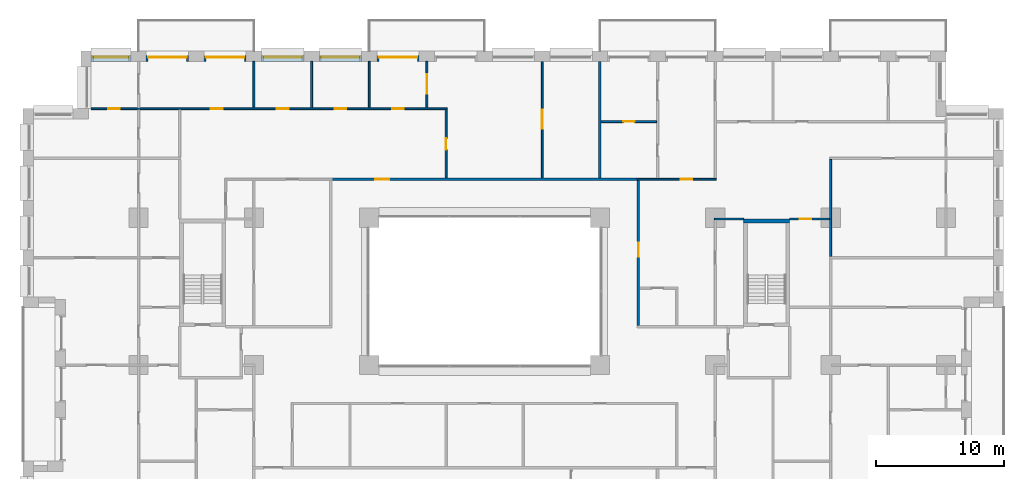
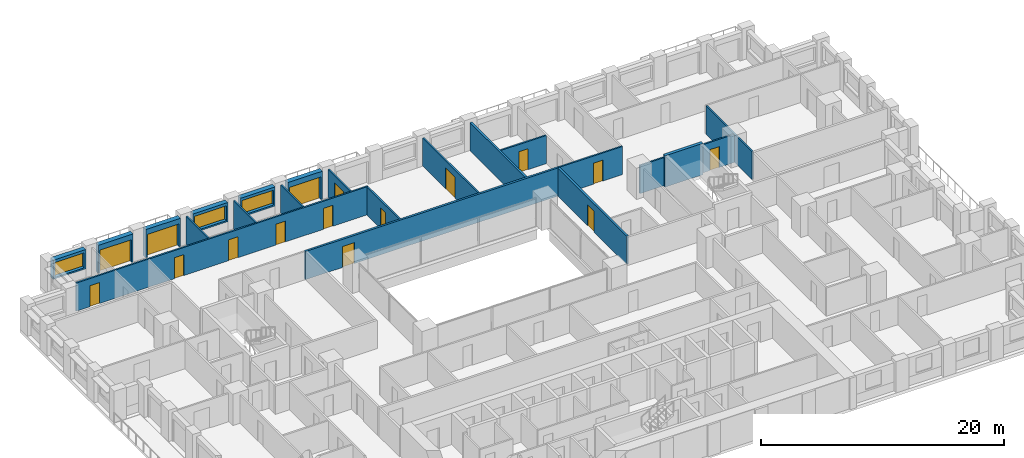
# One storey, part 15 of 20: 22 walls, 16 doors, 3 windows, 19 openings.
"""IFC4 building model written with IfcOpenShell, lengths in metres."""

from ifc_helpers import new_model, si_unit, direction, frame, frame_2d, origin, place, context, subcontext, project, spatial, rectangle, extrude, material, layer, layer_set, type_object, element, fill, save


model = new_model("IFC4")

# Units and contexts
model_context = context("Model", 3, precision=1e-05, world=origin(), true_north=direction((0.0, 1.0)))
body_context = subcontext(model_context, "Body", "Model", "MODEL_VIEW")
ifc_project = project(units=[si_unit("LENGTHUNIT", "METRE"), si_unit("AREAUNIT", "SQUARE_METRE"), si_unit("VOLUMEUNIT", "CUBIC_METRE"), si_unit("PLANEANGLEUNIT", "RADIAN"), si_unit("MASSUNIT", "GRAM", prefix="KILO")], contexts=[model_context])

# Site, building, storey
site_placement = place(None, origin())
site = spatial("IfcSite", under=ifc_project, at=site_placement, CompositionType="ELEMENT")
building_placement = place(site_placement, origin())
building = spatial("IfcBuilding", under=site, at=building_placement, Name="Brigalow Station Residences", CompositionType="ELEMENT")
storey_placement = place(building_placement, frame((0.0, 0.0, 54.14990234375)))
storey = spatial("IfcBuildingStorey", under=building, at=storey_placement, Name="L15", CompositionType="ELEMENT", Elevation=54.14990234375)

# Wall, opening, door
ifc_material_1 = material(Name="Clay brick masonry", Category="masonry")
ifc_layer_1 = layer(ifc_material_1, 0.449951171875)
ifc_layer_set_1 = layer_set([ifc_layer_1], Name="BRICK INFILL WALL 450")
wall_type_1 = type_object("IfcWallType", Name="BRICK INFILL WALL 450", PredefinedType="SOLIDWALL", material=ifc_layer_set_1)
wall_1_placement = place(storey_placement, frame((30.89990234375, 47.925048828125, 0.0), z_axis=(0.0, 0.0, 1.0), x_axis=(-1.0, 0.0, 0.0)))
wall_1 = element("IfcWall", 1, at=wall_1_placement, inside=storey, type_object=wall_type_1, Name="L15/ewall/W-L15-34", PredefinedType="SOLIDWALL", context=body_context, shape_type="SweptSolid", body=[
    extrude(rectangle(XDim=3.2998046875, YDim=0.449951171875, at=frame_2d((1.64990234375, 0.0))), origin(), (0.0, 0.0, 1.0), 2.830078125),
])
opening_1_placement = place(wall_1_placement, frame((0.14990234375, 0.0, 0.0)))
opening_1 = element("IfcOpeningElement", 2, at=opening_1_placement, cuts=wall_1, Name="Opening D-B3000", PredefinedType="OPENING", context=body_context, shape_type="SweptSolid", body=[
    extrude(rectangle(XDim=3.0, YDim=2.300048828125, at=frame_2d((1.5, 1.14990234375))), frame((0.0, 0.23486328125, 0.0), z_axis=(0.0, -1.0, 0.0), x_axis=(1.0, 0.0, 0.0)), (0.0, 0.0, 1.0), 0.469970703125),
])
ifc_material_2 = material(Name="Anodised aluminium frame with double glazing", Category="aluminium")
door_type_1 = type_object("IfcDoorType", Name="BALCONY SLIDING DOOR 3000x2300", OperationType="SLIDING_TO_LEFT", PredefinedType="DOOR", material=ifc_material_2)
door_1_placement = place(opening_1_placement, origin())
door_1 = element("IfcDoor", 3, at=door_1_placement, inside=storey, type_object=door_type_1, Name="L15/balcony-door/W-L15-34", OperationType="SLIDING_TO_LEFT", OverallHeight=2.300048828125, OverallWidth=3.0, PredefinedType="DOOR", context=body_context, shape_type="SweptSolid", body=[
    extrude(rectangle(XDim=3.0, YDim=2.300048828125, at=frame_2d((1.5, 1.14990234375))), frame((0.0, -0.06982421875, 0.0), z_axis=(0.0, -1.0, 0.0), x_axis=(1.0, 0.0, 0.0)), (0.0, 0.0, 1.0), 0.050048828125),
])
fill(opening_1, door_1)

# Wall, opening, window
wall_2_placement = place(storey_placement, frame((26.39990234375, 47.925048828125, 0.900146484375), z_axis=(0.0, 0.0, 1.0), x_axis=(-1.0, 0.0, 0.0)))
wall_2 = element("IfcWall", 4, at=wall_2_placement, inside=storey, type_object=wall_type_1, Name="L15/ewall/W-L15-35", PredefinedType="SOLIDWALL", context=body_context, shape_type="SweptSolid", body=[
    extrude(rectangle(XDim=3.2998046875, YDim=0.449951171875, at=frame_2d((1.64990234375, 0.0))), origin(), (0.0, 0.0, 1.0), 1.929931640625),
])
opening_2_placement = place(wall_2_placement, frame((0.14990234375, 0.0, 0.14990234375)))
opening_2 = element("IfcOpeningElement", 5, at=opening_2_placement, cuts=wall_2, Name="Opening WT-2", PredefinedType="OPENING", context=body_context, shape_type="SweptSolid", body=[
    extrude(rectangle(XDim=3.0, YDim=1.5, at=frame_2d((1.5, 0.75))), frame((0.0, 0.23486328125, 0.0), z_axis=(0.0, -1.0, 0.0), x_axis=(1.0, 0.0, 0.0)), (0.0, 0.0, 1.0), 0.469970703125),
])
ifc_material_3 = material(Name="Anodised aluminium frame with double glazing", Category="aluminium")
window_type_1 = type_object("IfcWindowType", Name="WINDOW 3000x1500", PartitioningType="SINGLE_PANEL", PredefinedType="WINDOW", material=ifc_material_3)
window_1_placement = place(opening_2_placement, origin())
window_1 = element("IfcWindow", 6, at=window_1_placement, inside=storey, type_object=window_type_1, Name="L15/window/W-L15-35", OverallHeight=1.5, OverallWidth=3.0, PartitioningType="SINGLE_PANEL", PredefinedType="WINDOW", context=body_context, shape_type="SweptSolid", body=[
    extrude(rectangle(XDim=3.0, YDim=1.5, at=frame_2d((1.5, 0.75))), frame((0.0, -0.06494140625, 0.0), z_axis=(0.0, -1.0, 0.0), x_axis=(1.0, 0.0, 0.0)), (0.0, 0.0, 1.0), 0.06005859375),
])
fill(opening_2, window_1)

wall_3_placement = place(storey_placement, frame((21.89990234375, 47.925048828125, 0.900146484375), z_axis=(0.0, 0.0, 1.0), x_axis=(-1.0, 0.0, 0.0)))
wall_3 = element("IfcWall", 7, at=wall_3_placement, inside=storey, type_object=wall_type_1, Name="L15/ewall/W-L15-36", PredefinedType="SOLIDWALL", context=body_context, shape_type="SweptSolid", body=[
    extrude(rectangle(XDim=3.2998046875, YDim=0.449951171875, at=frame_2d((1.64990234375, 0.0))), origin(), (0.0, 0.0, 1.0), 1.929931640625),
])
opening_3_placement = place(wall_3_placement, frame((0.14990234375, 0.0, 0.14990234375)))
opening_3 = element("IfcOpeningElement", 8, at=opening_3_placement, cuts=wall_3, Name="Opening WT-2", PredefinedType="OPENING", context=body_context, shape_type="SweptSolid", body=[
    extrude(rectangle(XDim=3.0, YDim=1.5, at=frame_2d((1.5, 0.75))), frame((0.0, 0.23486328125, 0.0), z_axis=(0.0, -1.0, 0.0), x_axis=(1.0, 0.0, 0.0)), (0.0, 0.0, 1.0), 0.469970703125),
])
window_2_placement = place(opening_3_placement, origin())
window_2 = element("IfcWindow", 9, at=window_2_placement, inside=storey, type_object=window_type_1, Name="L15/window/W-L15-36", OverallHeight=1.5, OverallWidth=3.0, PartitioningType="SINGLE_PANEL", PredefinedType="WINDOW", context=body_context, shape_type="SweptSolid", body=[
    extrude(rectangle(XDim=3.0, YDim=1.5, at=frame_2d((1.5, 0.75))), frame((0.0, -0.06494140625, 0.0), z_axis=(0.0, -1.0, 0.0), x_axis=(1.0, 0.0, 0.0)), (0.0, 0.0, 1.0), 0.06005859375),
])
fill(opening_3, window_2)

# Wall, opening, door
wall_4_placement = place(storey_placement, frame((17.39990234375, 47.925048828125, 0.0), z_axis=(0.0, 0.0, 1.0), x_axis=(-1.0, 0.0, 0.0)))
wall_4 = element("IfcWall", 10, at=wall_4_placement, inside=storey, type_object=wall_type_1, Name="L15/ewall/W-L15-37", PredefinedType="SOLIDWALL", context=body_context, shape_type="SweptSolid", body=[
    extrude(rectangle(XDim=3.2998046875, YDim=0.449951171875, at=frame_2d((1.64990234375, 0.0))), origin(), (0.0, 0.0, 1.0), 2.830078125),
])
opening_4_placement = place(wall_4_placement, frame((0.14990234375, 0.0, 0.0)))
opening_4 = element("IfcOpeningElement", 11, at=opening_4_placement, cuts=wall_4, Name="Opening D-B3000", PredefinedType="OPENING", context=body_context, shape_type="SweptSolid", body=[
    extrude(rectangle(XDim=3.0, YDim=2.300048828125, at=frame_2d((1.5, 1.14990234375))), frame((0.0, 0.23486328125, 0.0), z_axis=(0.0, -1.0, 0.0), x_axis=(1.0, 0.0, 0.0)), (0.0, 0.0, 1.0), 0.469970703125),
])
door_2_placement = place(opening_4_placement, origin())
door_2 = element("IfcDoor", 12, at=door_2_placement, inside=storey, type_object=door_type_1, Name="L15/balcony-door/W-L15-37", OperationType="SLIDING_TO_LEFT", OverallHeight=2.300048828125, OverallWidth=3.0, PredefinedType="DOOR", context=body_context, shape_type="SweptSolid", body=[
    extrude(rectangle(XDim=3.0, YDim=2.300048828125, at=frame_2d((1.5, 1.14990234375))), frame((0.0, -0.06982421875, 0.0), z_axis=(0.0, -1.0, 0.0), x_axis=(1.0, 0.0, 0.0)), (0.0, 0.0, 1.0), 0.050048828125),
])
fill(opening_4, door_2)

wall_5_placement = place(storey_placement, frame((12.89990234375, 47.925048828125, 0.0), z_axis=(0.0, 0.0, 1.0), x_axis=(-1.0, 0.0, 0.0)))
wall_5 = element("IfcWall", 13, at=wall_5_placement, inside=storey, type_object=wall_type_1, Name="L15/ewall/W-L15-38", PredefinedType="SOLIDWALL", context=body_context, shape_type="SweptSolid", body=[
    extrude(rectangle(XDim=3.2998046875, YDim=0.449951171875, at=frame_2d((1.64990234375, 0.0))), origin(), (0.0, 0.0, 1.0), 2.830078125),
])
opening_5_placement = place(wall_5_placement, frame((0.14990234375, 0.0, 0.0)))
opening_5 = element("IfcOpeningElement", 14, at=opening_5_placement, cuts=wall_5, Name="Opening D-B3000", PredefinedType="OPENING", context=body_context, shape_type="SweptSolid", body=[
    extrude(rectangle(XDim=3.0, YDim=2.300048828125, at=frame_2d((1.5, 1.14990234375))), frame((0.0, 0.23486328125, 0.0), z_axis=(0.0, -1.0, 0.0), x_axis=(1.0, 0.0, 0.0)), (0.0, 0.0, 1.0), 0.469970703125),
])
door_3_placement = place(opening_5_placement, origin())
door_3 = element("IfcDoor", 15, at=door_3_placement, inside=storey, type_object=door_type_1, Name="L15/balcony-door/W-L15-38", OperationType="SLIDING_TO_LEFT", OverallHeight=2.300048828125, OverallWidth=3.0, PredefinedType="DOOR", context=body_context, shape_type="SweptSolid", body=[
    extrude(rectangle(XDim=3.0, YDim=2.300048828125, at=frame_2d((1.5, 1.14990234375))), frame((0.0, -0.06982421875, 0.0), z_axis=(0.0, -1.0, 0.0), x_axis=(1.0, 0.0, 0.0)), (0.0, 0.0, 1.0), 0.050048828125),
])
fill(opening_5, door_3)

# Wall, opening, window
wall_6_placement = place(storey_placement, frame((8.39990234375, 47.925048828125, 0.900146484375), z_axis=(0.0, 0.0, 1.0), x_axis=(-1.0, 0.0, 0.0)))
wall_6 = element("IfcWall", 16, at=wall_6_placement, inside=storey, type_object=wall_type_1, Name="L15/ewall/W-L15-39", PredefinedType="SOLIDWALL", context=body_context, shape_type="SweptSolid", body=[
    extrude(rectangle(XDim=3.099853515625, YDim=0.449951171875, at=frame_2d((1.5498046875, 0.0))), origin(), (0.0, 0.0, 1.0), 1.929931640625),
])
opening_6_placement = place(wall_6_placement, frame((0.175048828125, 0.0, 0.14990234375)))
opening_6 = element("IfcOpeningElement", 17, at=opening_6_placement, cuts=wall_6, Name="Opening WT-3", PredefinedType="OPENING", context=body_context, shape_type="SweptSolid", body=[
    extrude(rectangle(XDim=2.75, YDim=1.5, at=frame_2d((1.375, 0.75))), frame((0.0, 0.23486328125, 0.0), z_axis=(0.0, -1.0, 0.0), x_axis=(1.0, 0.0, 0.0)), (0.0, 0.0, 1.0), 0.469970703125),
])
ifc_material_4 = material(Name="Anodised aluminium frame with double glazing", Category="aluminium")
window_type_2 = type_object("IfcWindowType", Name="WINDOW 2750x1500", PartitioningType="SINGLE_PANEL", PredefinedType="WINDOW", material=ifc_material_4)
window_3_placement = place(opening_6_placement, origin())
window_3 = element("IfcWindow", 18, at=window_3_placement, inside=storey, type_object=window_type_2, Name="L15/window/W-L15-39", OverallHeight=1.5, OverallWidth=2.75, PartitioningType="SINGLE_PANEL", PredefinedType="WINDOW", context=body_context, shape_type="SweptSolid", body=[
    extrude(rectangle(XDim=2.75, YDim=1.5, at=frame_2d((1.375, 0.75))), frame((0.0, -0.06494140625, 0.0), z_axis=(0.0, -1.0, 0.0), x_axis=(1.0, 0.0, 0.0)), (0.0, 0.0, 1.0), 0.06005859375),
])
fill(opening_6, window_3)

# Wall
ifc_material_5 = material(Name="Concrete C80", Category="concrete")
ifc_layer_2 = layer(ifc_material_5, 0.300048828125)
ifc_layer_set_2 = layer_set([ifc_layer_2], Name="CORE SHEAR WALL 300 C80")
wall_type_2 = type_object("IfcWallType", Name="CORE SHEAR WALL 300 C80", PredefinedType="SHEAR", material=ifc_layer_set_2)
wall_7_placement = place(storey_placement, frame((56.199951171875, 35.25, 0.0), z_axis=(0.0, 0.0, 1.0), x_axis=(1.0, 0.0, 0.0)))
element("IfcWall", 19, at=wall_7_placement, inside=storey, type_object=wall_type_2, Name="CORE WALL ST-S3-N L15", PredefinedType="SHEAR", context=body_context, shape_type="SweptSolid", body=[
    extrude(rectangle(XDim=3.60009765625, YDim=0.300048828125, at=frame_2d((1.800048828125, 0.0))), origin(), (0.0, 0.0, 1.0), 3.150146484375),
])

# Wall, opening, door
ifc_material_6 = material(Name="Plasterboard on steel stud partition", Category="steel")
ifc_layer_3 = layer(ifc_material_6, 0.14990234375)
ifc_layer_set_3 = layer_set([ifc_layer_3], Name="FLAT PARTITION 150")
wall_type_3 = type_object("IfcWallType", Name="FLAT PARTITION 150", PredefinedType="PARTITIONING", material=ifc_layer_set_3)
wall_8_placement = place(storey_placement, frame((47.89990234375, 38.5, 0.0), z_axis=(0.0, 0.0, 1.0), x_axis=(1.0, 0.0, 0.0)))
wall_8 = element("IfcWall", 20, at=wall_8_placement, inside=storey, type_object=wall_type_3, Name="PW-1E09", PredefinedType="PARTITIONING", context=body_context, shape_type="SweptSolid", body=[
    extrude(rectangle(XDim=6.175048828125, YDim=0.14990234375, at=frame_2d((3.08740234375, 0.0))), origin(), (0.0, 0.0, 1.0), 2.830078125),
])
opening_7_placement = place(wall_8_placement, frame((3.39990234375, 0.0, 0.0)))
opening_7 = element("IfcOpeningElement", 21, at=opening_7_placement, cuts=wall_8, Name="Opening D-1E39", PredefinedType="OPENING", context=body_context, shape_type="SweptSolid", body=[
    extrude(rectangle(XDim=0.89990234375, YDim=2.10009765625, at=frame_2d((0.449951171875, 1.050048828125))), frame((0.0, 0.0849609375, 0.0), z_axis=(0.0, -1.0, 0.0), x_axis=(1.0, 0.0, 0.0)), (0.0, 0.0, 1.0), 0.169921875),
])
ifc_material_7 = material(Name="Solid-core timber door leaf", Category="wood")
door_type_2 = type_object("IfcDoorType", Name="INTERNAL DOOR 900 x 2100", OperationType="SINGLE_SWING_LEFT", PredefinedType="DOOR", material=ifc_material_7)
door_4_placement = place(opening_7_placement, origin())
door_4 = element("IfcDoor", 22, at=door_4_placement, inside=storey, type_object=door_type_2, Name="D-1E39", OperationType="SINGLE_SWING_RIGHT", OverallHeight=2.10009765625, OverallWidth=0.89990234375, PredefinedType="DOOR", context=body_context, shape_type="SweptSolid", body=[
    extrude(rectangle(XDim=0.89990234375, YDim=2.10009765625, at=frame_2d((0.449951171875, 1.050048828125))), frame((0.0, 0.02490234375, 0.0), z_axis=(0.0, -1.0, 0.0), x_axis=(1.0, 0.0, 0.0)), (0.0, 0.0, 1.0), 0.050048828125),
])
fill(opening_7, door_4)

# Wall, openings, doors
wall_9_placement = place(storey_placement, frame((5.300048828125, 44.0, 0.0), z_axis=(0.0, 0.0, 1.0), x_axis=(1.0, 0.0, 0.0)))
wall_9 = element("IfcWall", 23, at=wall_9_placement, inside=storey, type_object=wall_type_3, Name="PW-1E27", PredefinedType="PARTITIONING", context=body_context, shape_type="SweptSolid", body=[
    extrude(rectangle(XDim=27.77490234375, YDim=0.14990234375, at=frame_2d((13.887451171875, 0.0))), origin(), (0.0, 0.0, 1.0), 2.830078125),
])
opening_8_placement = place(wall_9_placement, frame((14.5, 0.0, 0.0)))
opening_8 = element("IfcOpeningElement", 24, at=opening_8_placement, cuts=wall_9, Name="Opening D-1E22", PredefinedType="OPENING", context=body_context, shape_type="SweptSolid", body=[
    extrude(rectangle(XDim=0.89990234375, YDim=2.10009765625, at=frame_2d((0.449951171875, 1.050048828125))), frame((0.0, 0.0849609375, 0.0), z_axis=(0.0, -1.0, 0.0), x_axis=(1.0, 0.0, 0.0)), (0.0, 0.0, 1.0), 0.169921875),
])
opening_9_placement = place(wall_9_placement, frame((19.0, 0.0, 0.0)))
opening_9 = element("IfcOpeningElement", 25, at=opening_9_placement, cuts=wall_9, Name="Opening D-1E23", PredefinedType="OPENING", context=body_context, shape_type="SweptSolid", body=[
    extrude(rectangle(XDim=0.89990234375, YDim=2.10009765625, at=frame_2d((0.449951171875, 1.050048828125))), frame((0.0, 0.0849609375, 0.0), z_axis=(0.0, -1.0, 0.0), x_axis=(1.0, 0.0, 0.0)), (0.0, 0.0, 1.0), 0.169921875),
])
opening_10_placement = place(wall_9_placement, frame((9.35009765625, 0.0, 0.0)))
opening_10 = element("IfcOpeningElement", 26, at=opening_10_placement, cuts=wall_9, Name="Opening D-1E24", PredefinedType="OPENING", context=body_context, shape_type="SweptSolid", body=[
    extrude(rectangle(XDim=0.89990234375, YDim=2.10009765625, at=frame_2d((0.449951171875, 1.050048828125))), frame((0.0, 0.0849609375, 0.0), z_axis=(0.0, -1.0, 0.0), x_axis=(1.0, 0.0, 0.0)), (0.0, 0.0, 1.0), 0.169921875),
])
opening_11_placement = place(wall_9_placement, frame((23.5, 0.0, 0.0)))
opening_11 = element("IfcOpeningElement", 27, at=opening_11_placement, cuts=wall_9, Name="Opening D-1E31", PredefinedType="OPENING", context=body_context, shape_type="SweptSolid", body=[
    extrude(rectangle(XDim=0.89990234375, YDim=2.10009765625, at=frame_2d((0.449951171875, 1.050048828125))), frame((0.0, 0.0849609375, 0.0), z_axis=(0.0, -1.0, 0.0), x_axis=(1.0, 0.0, 0.0)), (0.0, 0.0, 1.0), 0.169921875),
])
opening_12_placement = place(wall_9_placement, frame((1.324951171875, 0.0, 0.0)))
opening_12 = element("IfcOpeningElement", 28, at=opening_12_placement, cuts=wall_9, Name="Opening D-1E34", PredefinedType="OPENING", context=body_context, shape_type="SweptSolid", body=[
    extrude(rectangle(XDim=0.89990234375, YDim=2.10009765625, at=frame_2d((0.449951171875, 1.050048828125))), frame((0.0, 0.0849609375, 0.0), z_axis=(0.0, -1.0, 0.0), x_axis=(1.0, 0.0, 0.0)), (0.0, 0.0, 1.0), 0.169921875),
])
door_5_placement = place(opening_8_placement, origin())
door_5 = element("IfcDoor", 29, at=door_5_placement, inside=storey, type_object=door_type_2, Name="D-1E22", OperationType="SINGLE_SWING_RIGHT", OverallHeight=2.10009765625, OverallWidth=0.89990234375, PredefinedType="DOOR", context=body_context, shape_type="SweptSolid", body=[
    extrude(rectangle(XDim=0.89990234375, YDim=2.10009765625, at=frame_2d((0.449951171875, 1.050048828125))), frame((0.0, 0.02490234375, 0.0), z_axis=(0.0, -1.0, 0.0), x_axis=(1.0, 0.0, 0.0)), (0.0, 0.0, 1.0), 0.050048828125),
])
fill(opening_8, door_5)
door_6_placement = place(opening_9_placement, origin())
door_6 = element("IfcDoor", 30, at=door_6_placement, inside=storey, type_object=door_type_2, Name="D-1E23", OperationType="SINGLE_SWING_RIGHT", OverallHeight=2.10009765625, OverallWidth=0.89990234375, PredefinedType="DOOR", context=body_context, shape_type="SweptSolid", body=[
    extrude(rectangle(XDim=0.89990234375, YDim=2.10009765625, at=frame_2d((0.449951171875, 1.050048828125))), frame((0.0, 0.02490234375, 0.0), z_axis=(0.0, -1.0, 0.0), x_axis=(1.0, 0.0, 0.0)), (0.0, 0.0, 1.0), 0.050048828125),
])
fill(opening_9, door_6)
door_7_placement = place(opening_10_placement, origin())
door_7 = element("IfcDoor", 31, at=door_7_placement, inside=storey, type_object=door_type_2, Name="D-1E24", OperationType="SINGLE_SWING_RIGHT", OverallHeight=2.10009765625, OverallWidth=0.89990234375, PredefinedType="DOOR", context=body_context, shape_type="SweptSolid", body=[
    extrude(rectangle(XDim=0.89990234375, YDim=2.10009765625, at=frame_2d((0.449951171875, 1.050048828125))), frame((0.0, 0.02490234375, 0.0), z_axis=(0.0, -1.0, 0.0), x_axis=(1.0, 0.0, 0.0)), (0.0, 0.0, 1.0), 0.050048828125),
])
fill(opening_10, door_7)
door_8_placement = place(opening_11_placement, origin())
door_8 = element("IfcDoor", 32, at=door_8_placement, inside=storey, type_object=door_type_2, Name="D-1E31", OperationType="SINGLE_SWING_LEFT", OverallHeight=2.10009765625, OverallWidth=0.89990234375, PredefinedType="DOOR", context=body_context, shape_type="SweptSolid", body=[
    extrude(rectangle(XDim=0.89990234375, YDim=2.10009765625, at=frame_2d((0.449951171875, 1.050048828125))), frame((0.0, 0.02490234375, 0.0), z_axis=(0.0, -1.0, 0.0), x_axis=(1.0, 0.0, 0.0)), (0.0, 0.0, 1.0), 0.050048828125),
])
fill(opening_11, door_8)
door_9_placement = place(opening_12_placement, origin())
door_9 = element("IfcDoor", 33, at=door_9_placement, inside=storey, type_object=door_type_2, Name="D-1E34", OperationType="SINGLE_SWING_LEFT", OverallHeight=2.10009765625, OverallWidth=0.89990234375, PredefinedType="DOOR", context=body_context, shape_type="SweptSolid", body=[
    extrude(rectangle(XDim=0.89990234375, YDim=2.10009765625, at=frame_2d((0.449951171875, 1.050048828125))), frame((0.0, 0.02490234375, 0.0), z_axis=(0.0, -1.0, 0.0), x_axis=(1.0, 0.0, 0.0)), (0.0, 0.0, 1.0), 0.050048828125),
])
fill(opening_12, door_9)

# Wall
wall_10_placement = place(storey_placement, frame((53.925048828125, 35.39990234375, 0.0), z_axis=(0.0, 0.0, 1.0), x_axis=(1.0, 0.0, 0.0)))
element("IfcWall", 34, at=wall_10_placement, inside=storey, type_object=wall_type_3, Name="PW-1E30", PredefinedType="PARTITIONING", context=body_context, shape_type="SweptSolid", body=[
    extrude(rectangle(XDim=2.27490234375, YDim=0.14990234375, at=frame_2d((1.137451171875, 0.0))), origin(), (0.0, 0.0, 1.0), 2.830078125),
])

# Wall, opening, door
wall_11_placement = place(storey_placement, frame((59.800048828125, 35.39990234375, 0.0), z_axis=(0.0, 0.0, 1.0), x_axis=(1.0, 0.0, 0.0)))
wall_11 = element("IfcWall", 35, at=wall_11_placement, inside=storey, type_object=wall_type_3, Name="PW-1E31", PredefinedType="PARTITIONING", context=body_context, shape_type="SweptSolid", body=[
    extrude(rectangle(XDim=3.125, YDim=0.14990234375, at=frame_2d((1.5625, 0.0))), origin(), (0.0, 0.0, 1.0), 2.830078125),
])
opening_13_placement = place(wall_11_placement, frame((0.77490234375, 0.0, 0.0)))
opening_13 = element("IfcOpeningElement", 36, at=opening_13_placement, cuts=wall_11, Name="Opening D-1E44", PredefinedType="OPENING", context=body_context, shape_type="SweptSolid", body=[
    extrude(rectangle(XDim=0.89990234375, YDim=2.10009765625, at=frame_2d((0.449951171875, 1.050048828125))), frame((0.0, 0.0849609375, 0.0), z_axis=(0.0, -1.0, 0.0), x_axis=(1.0, 0.0, 0.0)), (0.0, 0.0, 1.0), 0.169921875),
])
door_10_placement = place(opening_13_placement, frame((0.89990234375, 0.0, 0.0), z_axis=(0.0, 0.0, 1.0), x_axis=(-1.0, 0.0, 0.0)))
door_10 = element("IfcDoor", 37, at=door_10_placement, inside=storey, type_object=door_type_2, Name="D-1E44", OperationType="SINGLE_SWING_RIGHT", OverallHeight=2.10009765625, OverallWidth=0.89990234375, PredefinedType="DOOR", context=body_context, shape_type="SweptSolid", body=[
    extrude(rectangle(XDim=0.89990234375, YDim=2.10009765625, at=frame_2d((0.449951171875, 1.050048828125))), frame((0.0, 0.02490234375, 0.0), z_axis=(0.0, -1.0, 0.0), x_axis=(1.0, 0.0, 0.0)), (0.0, 0.0, 1.0), 0.050048828125),
])
fill(opening_13, door_10)

wall_12_placement = place(storey_placement, frame((45.10009765625, 43.0, 0.0), z_axis=(0.0, 0.0, 1.0), x_axis=(1.0, 0.0, 0.0)))
wall_12 = element("IfcWall", 38, at=wall_12_placement, inside=storey, type_object=wall_type_3, Name="PW-1E33", PredefinedType="PARTITIONING", context=body_context, shape_type="SweptSolid", body=[
    extrude(rectangle(XDim=4.324951171875, YDim=0.14990234375, at=frame_2d((2.16259765625, 0.0))), origin(), (0.0, 0.0, 1.0), 2.830078125),
])
opening_14_placement = place(wall_12_placement, frame((1.699951171875, 0.0, 0.0)))
opening_14 = element("IfcOpeningElement", 39, at=opening_14_placement, cuts=wall_12, Name="Opening D-1E36", PredefinedType="OPENING", context=body_context, shape_type="SweptSolid", body=[
    extrude(rectangle(XDim=0.89990234375, YDim=2.10009765625, at=frame_2d((0.449951171875, 1.050048828125))), frame((0.0, 0.0849609375, 0.0), z_axis=(0.0, -1.0, 0.0), x_axis=(1.0, 0.0, 0.0)), (0.0, 0.0, 1.0), 0.169921875),
])
door_11_placement = place(opening_14_placement, frame((0.89990234375, 0.0, 0.0), z_axis=(0.0, 0.0, 1.0), x_axis=(-1.0, 0.0, 0.0)))
door_11 = element("IfcDoor", 40, at=door_11_placement, inside=storey, type_object=door_type_2, Name="D-1E36", OperationType="SINGLE_SWING_RIGHT", OverallHeight=2.10009765625, OverallWidth=0.89990234375, PredefinedType="DOOR", context=body_context, shape_type="SweptSolid", body=[
    extrude(rectangle(XDim=0.89990234375, YDim=2.10009765625, at=frame_2d((0.449951171875, 1.050048828125))), frame((0.0, 0.02490234375, 0.0), z_axis=(0.0, -1.0, 0.0), x_axis=(1.0, 0.0, 0.0)), (0.0, 0.0, 1.0), 0.050048828125),
])
fill(opening_14, door_11)

# Wall
wall_13_placement = place(storey_placement, frame((18.0, 44.074951171875, 0.0), z_axis=(0.0, 0.0, 1.0), x_axis=(0.0, 1.0, 0.0)))
element("IfcWall", 41, at=wall_13_placement, inside=storey, type_object=wall_type_3, Name="PW-1E38", PredefinedType="PARTITIONING", context=body_context, shape_type="SweptSolid", body=[
    extrude(rectangle(XDim=3.625, YDim=0.14990234375, at=frame_2d((1.8125, 0.0))), origin(), (0.0, 0.0, 1.0), 2.830078125),
])

# Wall, opening, door
wall_14_placement = place(storey_placement, frame((33.0, 38.60009765625, 0.0), z_axis=(0.0, 0.0, 1.0), x_axis=(0.0, 1.0, 0.0)))
wall_14 = element("IfcWall", 42, at=wall_14_placement, inside=storey, type_object=wall_type_3, Name="PW-1E61", PredefinedType="PARTITIONING", context=body_context, shape_type="SweptSolid", body=[
    extrude(rectangle(XDim=5.324951171875, YDim=0.14990234375, at=frame_2d((2.66259765625, 0.0))), origin(), (0.0, 0.0, 1.0), 2.830078125),
])
opening_15_placement = place(wall_14_placement, frame((2.199951171875, 0.0, 0.0)))
opening_15 = element("IfcOpeningElement", 43, at=opening_15_placement, cuts=wall_14, Name="Opening D-1E27", PredefinedType="OPENING", context=body_context, shape_type="SweptSolid", body=[
    extrude(rectangle(XDim=0.89990234375, YDim=2.10009765625, at=frame_2d((0.449951171875, 1.050048828125))), frame((0.0, 0.0849609375, 0.0), z_axis=(0.0, -1.0, 0.0), x_axis=(1.0, 0.0, 0.0)), (0.0, 0.0, 1.0), 0.169921875),
])
door_12_placement = place(opening_15_placement, frame((0.89990234375, 0.0, 0.0), z_axis=(0.0, 0.0, 1.0), x_axis=(-1.0, 0.0, 0.0)))
door_12 = element("IfcDoor", 44, at=door_12_placement, inside=storey, type_object=door_type_2, Name="D-1E27", OperationType="SINGLE_SWING_RIGHT", OverallHeight=2.10009765625, OverallWidth=0.89990234375, PredefinedType="DOOR", context=body_context, shape_type="SweptSolid", body=[
    extrude(rectangle(XDim=0.89990234375, YDim=2.10009765625, at=frame_2d((0.449951171875, 1.050048828125))), frame((0.0, 0.02490234375, 0.0), z_axis=(0.0, -1.0, 0.0), x_axis=(1.0, 0.0, 0.0)), (0.0, 0.0, 1.0), 0.050048828125),
])
fill(opening_15, door_12)

# Walls
for number, where, z_axis, x_axis, name in (
    (45, (22.5, 44.074951171875, 0.0), (0.0, 0.0, 1.0), (0.0, 1.0, 0.0), "PW-1E63"),
    (46, (27.0, 44.074951171875, 0.0), (0.0, 0.0, 1.0), (0.0, 1.0, 0.0), "PW-1E64"),
):
    element("IfcWall", number, at=place(storey_placement, frame(where, z_axis=z_axis, x_axis=x_axis)), inside=storey, type_object=wall_type_3, Name=name, PredefinedType="PARTITIONING", context=body_context, shape_type="SweptSolid", body=[
        extrude(rectangle(XDim=3.625, YDim=0.14990234375, at=frame_2d((1.8125, 0.0))), origin(), (0.0, 0.0, 1.0), 2.830078125),
    ])

# Wall, opening, door
wall_15_placement = place(storey_placement, frame((31.5, 44.074951171875, 0.0), z_axis=(0.0, 0.0, 1.0), x_axis=(0.0, 1.0, 0.0)))
wall_15 = element("IfcWall", 47, at=wall_15_placement, inside=storey, type_object=wall_type_3, Name="PW-1E65", PredefinedType="PARTITIONING", context=body_context, shape_type="SweptSolid", body=[
    extrude(rectangle(XDim=3.625, YDim=0.14990234375, at=frame_2d((1.8125, 0.0))), origin(), (0.0, 0.0, 1.0), 2.830078125),
])
opening_16_placement = place(wall_15_placement, frame((1.10009765625, 0.0, 0.0)))
opening_16 = element("IfcOpeningElement", 48, at=opening_16_placement, cuts=wall_15, Name="Opening D-1E28", PredefinedType="OPENING", context=body_context, shape_type="SweptSolid", body=[
    extrude(rectangle(XDim=1.5, YDim=2.10009765625, at=frame_2d((0.75, 1.050048828125))), frame((0.0, 0.0849609375, 0.0), z_axis=(0.0, -1.0, 0.0), x_axis=(1.0, 0.0, 0.0)), (0.0, 0.0, 1.0), 0.169921875),
])
ifc_material_8 = material(Name="Solid-core timber door leaf", Category="wood")
door_type_3 = type_object("IfcDoorType", Name="INTERNAL DOUBLE DOOR 1500 x 2100", OperationType="DOUBLE_DOOR_SINGLE_SWING", PredefinedType="DOOR", material=ifc_material_8)
door_13_placement = place(opening_16_placement, origin())
door_13 = element("IfcDoor", 49, at=door_13_placement, inside=storey, type_object=door_type_3, Name="D-1E28", OperationType="DOUBLE_DOOR_SINGLE_SWING", OverallHeight=2.10009765625, OverallWidth=1.5, PredefinedType="DOOR", context=body_context, shape_type="SweptSolid", body=[
    extrude(rectangle(XDim=1.5, YDim=2.10009765625, at=frame_2d((0.75, 1.050048828125))), frame((0.0, 0.02490234375, 0.0), z_axis=(0.0, -1.0, 0.0), x_axis=(1.0, 0.0, 0.0)), (0.0, 0.0, 1.0), 0.050048828125),
])
fill(opening_16, door_13)

wall_16_placement = place(storey_placement, frame((40.5, 38.60009765625, 0.0), z_axis=(0.0, 0.0, 1.0), x_axis=(0.0, 1.0, 0.0)))
wall_16 = element("IfcWall", 50, at=wall_16_placement, inside=storey, type_object=wall_type_3, Name="PW-1E66", PredefinedType="PARTITIONING", context=body_context, shape_type="SweptSolid", body=[
    extrude(rectangle(XDim=9.099853515625, YDim=0.14990234375, at=frame_2d((4.5498046875, 0.0))), origin(), (0.0, 0.0, 1.0), 2.830078125),
])
opening_17_placement = place(wall_16_placement, frame((3.824951171875, 0.0, 0.0)))
opening_17 = element("IfcOpeningElement", 51, at=opening_17_placement, cuts=wall_16, Name="Opening D-1E29", PredefinedType="OPENING", context=body_context, shape_type="SweptSolid", body=[
    extrude(rectangle(XDim=1.5, YDim=2.10009765625, at=frame_2d((0.75, 1.050048828125))), frame((0.0, 0.0849609375, 0.0), z_axis=(0.0, -1.0, 0.0), x_axis=(1.0, 0.0, 0.0)), (0.0, 0.0, 1.0), 0.169921875),
])
door_14_placement = place(opening_17_placement, frame((1.5, 0.0, 0.0), z_axis=(0.0, 0.0, 1.0), x_axis=(-1.0, 0.0, 0.0)))
door_14 = element("IfcDoor", 52, at=door_14_placement, inside=storey, type_object=door_type_3, Name="D-1E29", OperationType="DOUBLE_DOOR_SINGLE_SWING", OverallHeight=2.10009765625, OverallWidth=1.5, PredefinedType="DOOR", context=body_context, shape_type="SweptSolid", body=[
    extrude(rectangle(XDim=1.5, YDim=2.10009765625, at=frame_2d((0.75, 1.050048828125))), frame((0.0, 0.02490234375, 0.0), z_axis=(0.0, -1.0, 0.0), x_axis=(1.0, 0.0, 0.0)), (0.0, 0.0, 1.0), 0.050048828125),
])
fill(opening_17, door_14)

# Wall
wall_17_placement = place(storey_placement, frame((63.0, 32.47509765625, 0.0), z_axis=(0.0, 0.0, 1.0), x_axis=(0.0, 1.0, 0.0)))
element("IfcWall", 53, at=wall_17_placement, inside=storey, type_object=wall_type_3, Name="PW-1E70", PredefinedType="PARTITIONING", context=body_context, shape_type="SweptSolid", body=[
    extrude(rectangle(XDim=7.574951171875, YDim=0.14990234375, at=frame_2d((3.78759765625, 0.0))), origin(), (0.0, 0.0, 1.0), 2.830078125),
])

# Wall, opening, door
ifc_material_9 = material(Name="Plasterboard on steel stud partition", Category="steel")
ifc_layer_4 = layer(ifc_material_9, 0.199951171875)
ifc_layer_set_4 = layer_set([ifc_layer_4], Name="PARTY AND CORRIDOR WALL 200")
wall_type_4 = type_object("IfcWallType", Name="PARTY AND CORRIDOR WALL 200", PredefinedType="PARTITIONING", material=ifc_layer_set_4)
wall_18_placement = place(storey_placement, frame((23.89990234375, 38.5, 0.0), z_axis=(0.0, 0.0, 1.0), x_axis=(1.0, 0.0, 0.0)))
wall_18 = element("IfcWall", 54, at=wall_18_placement, inside=storey, type_object=wall_type_4, Name="PW-1E10", PredefinedType="PARTITIONING", context=body_context, shape_type="SweptSolid", body=[
    extrude(rectangle(XDim=24.2001953125, YDim=0.199951171875, at=frame_2d((12.10009765625, 0.0))), origin(), (0.0, 0.0, 1.0), 2.830078125),
])
opening_18_placement = place(wall_18_placement, frame((3.550048828125, 0.0, 0.0)))
opening_18 = element("IfcOpeningElement", 55, at=opening_18_placement, cuts=wall_18, Name="Opening D-1E35", PredefinedType="OPENING", context=body_context, shape_type="SweptSolid", body=[
    extrude(rectangle(XDim=1.10009765625, YDim=2.10009765625, at=frame_2d((0.550048828125, 1.050048828125))), frame((0.0, 0.10986328125, 0.0), z_axis=(0.0, -1.0, 0.0), x_axis=(1.0, 0.0, 0.0)), (0.0, 0.0, 1.0), 0.219970703125),
])
ifc_material_10 = material(Name="Solid-core timber door leaf", Category="wood")
door_type_4 = type_object("IfcDoorType", Name="FLAT ENTRANCE DOOR 1100 x 2100 FRL -/60/30", OperationType="SINGLE_SWING_LEFT", PredefinedType="DOOR", material=ifc_material_10)
door_15_placement = place(opening_18_placement, origin())
door_15 = element("IfcDoor", 56, at=door_15_placement, inside=storey, type_object=door_type_4, Name="D-1E35", OperationType="SINGLE_SWING_RIGHT", OverallHeight=2.10009765625, OverallWidth=1.10009765625, PredefinedType="DOOR", context=body_context, shape_type="SweptSolid", body=[
    extrude(rectangle(XDim=1.10009765625, YDim=2.10009765625, at=frame_2d((0.550048828125, 1.050048828125))), frame((0.0, 0.02490234375, 0.0), z_axis=(0.0, -1.0, 0.0), x_axis=(1.0, 0.0, 0.0)), (0.0, 0.0, 1.0), 0.050048828125),
])
fill(opening_18, door_15)

wall_19_placement = place(storey_placement, frame((48.0, 27.10009765625, 0.0), z_axis=(0.0, 0.0, 1.0), x_axis=(0.0, 1.0, 0.0)))
wall_19 = element("IfcWall", 57, at=wall_19_placement, inside=storey, type_object=wall_type_4, Name="PW-1E47", PredefinedType="PARTITIONING", context=body_context, shape_type="SweptSolid", body=[
    extrude(rectangle(XDim=11.324951171875, YDim=0.199951171875, at=frame_2d((5.66259765625, 0.0))), origin(), (0.0, 0.0, 1.0), 2.830078125),
])
opening_19_placement = place(wall_19_placement, frame((5.35009765625, 0.0, 0.0)))
opening_19 = element("IfcOpeningElement", 58, at=opening_19_placement, cuts=wall_19, Name="Opening D-1E50", PredefinedType="OPENING", context=body_context, shape_type="SweptSolid", body=[
    extrude(rectangle(XDim=1.10009765625, YDim=2.10009765625, at=frame_2d((0.550048828125, 1.050048828125))), frame((0.0, 0.10986328125, 0.0), z_axis=(0.0, -1.0, 0.0), x_axis=(1.0, 0.0, 0.0)), (0.0, 0.0, 1.0), 0.219970703125),
])
door_16_placement = place(opening_19_placement, frame((1.10009765625, 0.0, 0.0), z_axis=(0.0, 0.0, 1.0), x_axis=(-1.0, 0.0, 0.0)))
door_16 = element("IfcDoor", 59, at=door_16_placement, inside=storey, type_object=door_type_4, Name="D-1E50", OperationType="SINGLE_SWING_RIGHT", OverallHeight=2.10009765625, OverallWidth=1.10009765625, PredefinedType="DOOR", context=body_context, shape_type="SweptSolid", body=[
    extrude(rectangle(XDim=1.10009765625, YDim=2.10009765625, at=frame_2d((0.550048828125, 1.050048828125))), frame((0.0, 0.02490234375, 0.0), z_axis=(0.0, -1.0, 0.0), x_axis=(1.0, 0.0, 0.0)), (0.0, 0.0, 1.0), 0.050048828125),
])
fill(opening_19, door_16)

# Wall
wall_20_placement = place(storey_placement, frame((45.0, 38.60009765625, 0.0), z_axis=(0.0, 0.0, 1.0), x_axis=(0.0, 1.0, 0.0)))
element("IfcWall", 60, at=wall_20_placement, inside=storey, type_object=wall_type_4, Name="PW-1E67", PredefinedType="PARTITIONING", context=body_context, shape_type="SweptSolid", body=[
    extrude(rectangle(XDim=9.099853515625, YDim=0.199951171875, at=frame_2d((4.5498046875, 0.0))), origin(), (0.0, 0.0, 1.0), 2.830078125),
])

save(model, "model.ifc")
